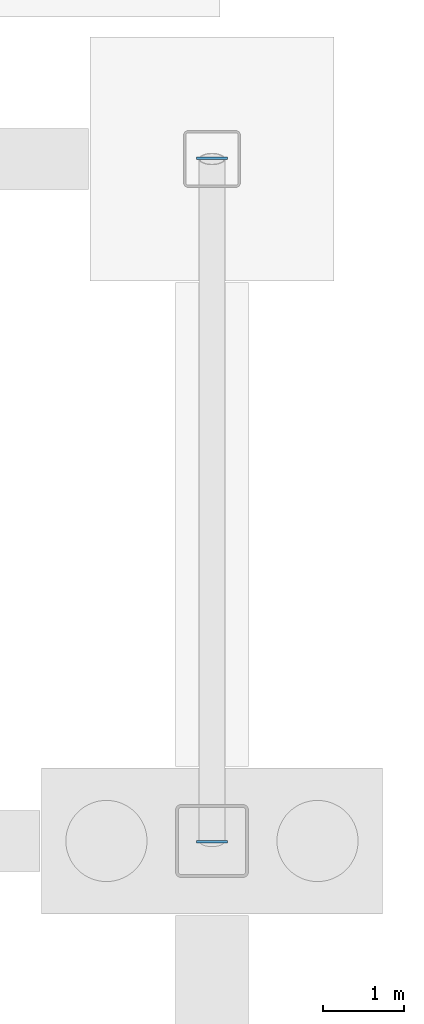
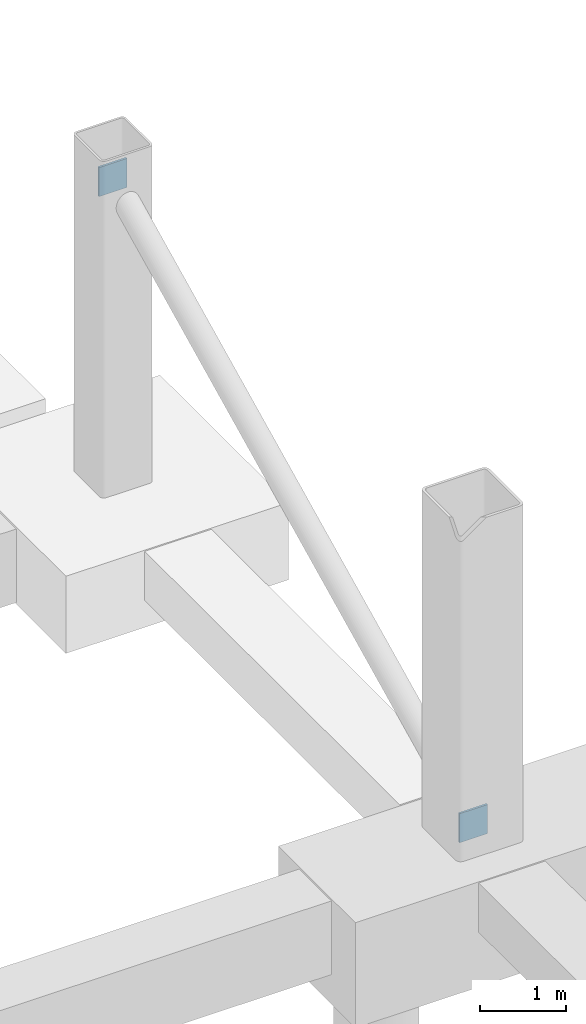
# One storey, part 24 of 34: 2 plates.
"""IFC4 building model written with IfcOpenShell, lengths in metres."""

import ifcopenshell
import ifcopenshell.guid

model = None  # the IFC model being written
_history = None  # IfcOwnerHistory: only IFC2X3 demands one
_inside = {}  # id of a spatial element -> (the spatial element, [elements in it])
_under = {}  # id of a project, library or spatial element -> (it, [spatial elements below it])
_declared = {}  # id of a project -> (the project, [libraries it declares])
_typed = {}  # id of a type object -> (the type object, [elements of that type])
_made_of = {}  # id of a material, layer set ... -> (it, [elements and type objects made of it])


def new_model(schema):
    """Start an empty IFC model of exactly this schema.

    Asked for "IFC4X3", IfcOpenShell would pick the latest addendum, in which some entities
    have other attributes; the version numbers below select the first issue.
    IFC2X3 requires an IfcOwnerHistory on every rooted entity: one is made here for all.
    """
    global model, _history
    if schema == "IFC4X3":
        model = ifcopenshell.file(schema_version=(4, 3, 0, 0))
    else:
        model = ifcopenshell.file(schema=schema)
    _inside.clear()
    _under.clear()
    _declared.clear()
    _typed.clear()
    _made_of.clear()
    _history = None
    if model.schema == "IFC2X3":
        org = make("IfcOrganization", Name="unknown")
        user = make(
            "IfcPersonAndOrganization",
            ThePerson=make("IfcPerson", FamilyName="unknown"),
            TheOrganization=org,
        )
        app = make(
            "IfcApplication",
            ApplicationDeveloper=org,
            Version="unknown",
            ApplicationFullName="unknown",
            ApplicationIdentifier="unknown",
        )
        _history = make(
            "IfcOwnerHistory",
            OwningUser=user,
            OwningApplication=app,
            ChangeAction="ADDED",
            CreationDate=0,
        )
    return model


def make(cls, **values):
    """One entity of the class cls with the attributes given. An attribute that is None is left unset."""
    return model.create_entity(
        cls, **{name: value for name, value in values.items() if value is not None}
    )


def rooted(cls, **values):
    """An entity with a GlobalId (a new one), such as an element, a storey or a relation."""
    return make(cls, GlobalId=ifcopenshell.guid.new(), OwnerHistory=_history, **values)


def si_unit(unit_type, name, prefix=None):
    """IfcSIUnit, for example si_unit("LENGTHUNIT", "METRE", prefix="MILLI")."""
    return make("IfcSIUnit", UnitType=unit_type, Prefix=prefix, Name=name)


def assignment(units):
    """IfcUnitAssignment: the units of a project."""
    return None if units is None else make("IfcUnitAssignment", Units=units)


def point(xyz):
    """IfcCartesianPoint."""
    return None if xyz is None else make("IfcCartesianPoint", Coordinates=xyz)


def direction(xyz):
    """IfcDirection."""
    return None if xyz is None else make("IfcDirection", DirectionRatios=xyz)


def frame(location, z_axis=None, x_axis=None):
    """IfcAxis2Placement3D, a coordinate frame: its origin and axes. An axis left out is left unset."""
    return make(
        "IfcAxis2Placement3D",
        Location=point(location),
        Axis=direction(z_axis),
        RefDirection=direction(x_axis),
    )


def frame_2d(location, x_axis=None):
    """IfcAxis2Placement2D, a coordinate frame in the plane: its origin and x axis."""
    return make(
        "IfcAxis2Placement2D", Location=point(location), RefDirection=direction(x_axis)
    )


def origin():
    """The frame at (0, 0, 0) with its axes left unset."""
    return frame((0.0, 0.0, 0.0))


def origin_2d():
    """The frame at (0, 0) in the plane with its x axis left unset."""
    return frame_2d((0.0, 0.0))


def place(relative_to, where):
    """IfcLocalPlacement: puts the frame where relative to a parent placement (None: the world)."""
    return make(
        "IfcLocalPlacement", PlacementRelTo=relative_to, RelativePlacement=where
    )


def context(
    kind, dimensions, precision=None, world=None, true_north=None, identifier=None
):
    """IfcGeometricRepresentationContext, for example the 3D "Model" context."""
    return make(
        "IfcGeometricRepresentationContext",
        ContextIdentifier=identifier,
        ContextType=kind,
        CoordinateSpaceDimension=dimensions,
        Precision=precision,
        WorldCoordinateSystem=world,
        TrueNorth=true_north,
    )


def subcontext(parent, identifier, kind, view, scale=None):
    """IfcGeometricRepresentationSubContext, for example "Body" below "Model"."""
    return make(
        "IfcGeometricRepresentationSubContext",
        ContextIdentifier=identifier,
        ContextType=kind,
        ParentContext=parent,
        TargetScale=scale,
        TargetView=view,
    )


def project(units=None, contexts=None):
    """IfcProject with its units and contexts."""
    return rooted(
        "IfcProject",
        Name="project",
        RepresentationContexts=contexts,
        UnitsInContext=assignment(units),
    )


def spatial(cls, under=None, at=None, **own):
    """A site, building, storey or space (cls), placed at a placement, below another one or the project."""
    s = rooted(cls, ObjectPlacement=at, **own)
    if under is not None:
        _under.setdefault(under.id(), (under, []))[1].append(s)
    return s


def profile(cls, at=None, kind="AREA", **sizes):
    """A parametric profile (cls). Its sizes go by their IFC names, for example OverallWidth=200.0."""
    return make(cls, ProfileType=kind, Position=at, **sizes)


def rectangle(**sizes):
    """IfcRectangleProfileDef."""
    return profile("IfcRectangleProfileDef", **sizes)


def extrude(swept, where, along, depth):
    """IfcExtrudedAreaSolid: the profile swept, set in the frame where, extruded along a direction by depth."""
    return make(
        "IfcExtrudedAreaSolid",
        SweptArea=swept,
        Position=where,
        ExtrudedDirection=direction(along),
        Depth=depth,
    )


def shape(context_of_items, identifier, shape_type, items):
    """IfcShapeRepresentation: the items that make up one representation, for example the "Body"."""
    return make(
        "IfcShapeRepresentation",
        ContextOfItems=context_of_items,
        RepresentationIdentifier=identifier,
        RepresentationType=shape_type,
        Items=items,
    )


def material(Name=None, Category=None):
    """IfcMaterial."""
    return make("IfcMaterial", Name=Name, Category=Category)


def layer(
    of_material, thickness, ventilated=None, Name=None, Category=None, Priority=None
):
    """IfcMaterialLayer: one layer of a wall or slab, of a material (None: an air gap)."""
    return make(
        "IfcMaterialLayer",
        Material=of_material,
        LayerThickness=thickness,
        IsVentilated=ventilated,
        Name=Name,
        Category=Category,
        Priority=Priority,
    )


def layer_set(layers, Name=None):
    """IfcMaterialLayerSet."""
    return make("IfcMaterialLayerSet", MaterialLayers=layers, LayerSetName=Name)


def made_of(thing, what):
    """Note that an element or type object is made of a material, layer set ...; save() writes the relation."""
    if what is not None:
        _made_of.setdefault(what.id(), (what, []))[1].append(thing)
    return thing


def type_object(cls, material=None, **own):
    """A type object (cls), such as IfcWallType, which elements share."""
    return made_of(rooted(cls, **own), material)


def element(
    cls,
    number,
    at=None,
    inside=None,
    cuts=None,
    type_object=None,
    material=None,
    context=None,
    identifier="Body",
    shape_type=None,
    held_by="IfcProductDefinitionShape",
    body=None,
    shapes=None,
    **own,
):
    """One element of the class cls, such as IfcWall. Its Tag is "e" and its number.

    at: its placement. inside: the storey or other place that contains it. cuts: it is an
    opening in that element (IfcRelVoidsElement). A single representation is given by context,
    identifier, shape_type and body (its items); several are given by shapes. held_by: the class
    of the entity that holds the representations. save() writes the other relations.
    """
    e = rooted(cls, Tag="e%d" % number, ObjectPlacement=at, **own)
    if body is not None:
        shapes = [shape(context, identifier, shape_type, body)]
    if shapes is not None:
        e.Representation = make(held_by, Representations=shapes)
    if inside is not None:
        _inside.setdefault(inside.id(), (inside, []))[1].append(e)
    if cuts is not None:
        rooted(
            "IfcRelVoidsElement", RelatingBuildingElement=cuts, RelatedOpeningElement=e
        )
    if type_object is not None:
        _typed.setdefault(type_object.id(), (type_object, []))[1].append(e)
    return made_of(e, material)


def aggregate(whole, parts):
    """IfcRelAggregates: a whole, such as a stair, and the parts it consists of."""
    return rooted("IfcRelAggregates", RelatingObject=whole, RelatedObjects=parts)


def save(model, path):
    """Write the relations noted so far, then the file.

    IfcRelAggregates (storeys below a building ...), IfcRelContainedInSpatialStructure (elements
    in a storey), IfcRelDefinesByType, IfcRelAssociatesMaterial and IfcRelDeclares: one each for
    every whole, place, type object, material and project.
    """
    for whole, parts in _under.values():
        aggregate(whole, parts)
    for where, things in _inside.values():
        rooted(
            "IfcRelContainedInSpatialStructure",
            RelatedElements=things,
            RelatingStructure=where,
        )
    for kind, things in _typed.values():
        rooted("IfcRelDefinesByType", RelatedObjects=things, RelatingType=kind)
    for what, things in _made_of.values():
        rooted("IfcRelAssociatesMaterial", RelatedObjects=things, RelatingMaterial=what)
    for by, libraries in _declared.values():
        rooted("IfcRelDeclares", RelatingContext=by, RelatedDefinitions=libraries)
    model.write(path)


model = new_model("IFC4")

# Units and contexts
model_context = context("Model", 3, precision=1e-05, world=origin(), true_north=direction((0.0, 1.0)))
body_context = subcontext(model_context, "Body", "Model", "MODEL_VIEW")
ifc_project = project(units=[si_unit("LENGTHUNIT", "METRE"), si_unit("AREAUNIT", "SQUARE_METRE"), si_unit("VOLUMEUNIT", "CUBIC_METRE"), si_unit("PLANEANGLEUNIT", "RADIAN"), si_unit("MASSUNIT", "GRAM", prefix="KILO")], contexts=[model_context])

# Site, building, storey
site_placement = place(None, origin())
site = spatial("IfcSite", under=ifc_project, at=site_placement, CompositionType="ELEMENT")
building_placement = place(site_placement, origin())
building = spatial("IfcBuilding", under=site, at=building_placement, Name="Larkvane Passage Sports Hall", CompositionType="ELEMENT")
storey_placement = place(building_placement, frame((0.0, 0.0, -4.800048828125)))
storey = spatial("IfcBuildingStorey", under=building, at=storey_placement, Name="B01", CompositionType="ELEMENT", Elevation=-4.800048828125)

# Plates
ifc_material = material(Name="Steel S460N", Category="steel")
ifc_layer = layer(ifc_material, 0.02001953125)
ifc_layer_set = layer_set([ifc_layer], Name="Steel S460N")
plate_type = type_object("IfcPlateType", Name="PLT-CAP-20", PredefinedType="SHEET", material=ifc_layer_set)
for number, where, z_axis, x_axis, name in (
    (1, (145.60009765625, 31.19091796875, -0.061279296875), (0.0, 0.0, 1.0), (-1.0, 0.0, 0.0), "Hollow section sealed end cap plate 0578"),
    (2, (145.60009765625, 39.60888671875, 4.04736328125), (0.0, 0.0, 1.0), (-1.0, 0.0, 0.0), "Hollow section sealed end cap plate 0579"),
):
    element("IfcPlate", number, at=place(storey_placement, frame(where, z_axis=z_axis, x_axis=x_axis)), inside=storey, type_object=plate_type, Name=name, PredefinedType="SHEET", context=body_context, shape_type="SweptSolid", body=[
        extrude(rectangle(XDim=0.37890625, YDim=0.028076171875, at=origin_2d()), origin(), (0.0, 0.0, 1.0), 0.4140625),
    ])

save(model, "model.ifc")
